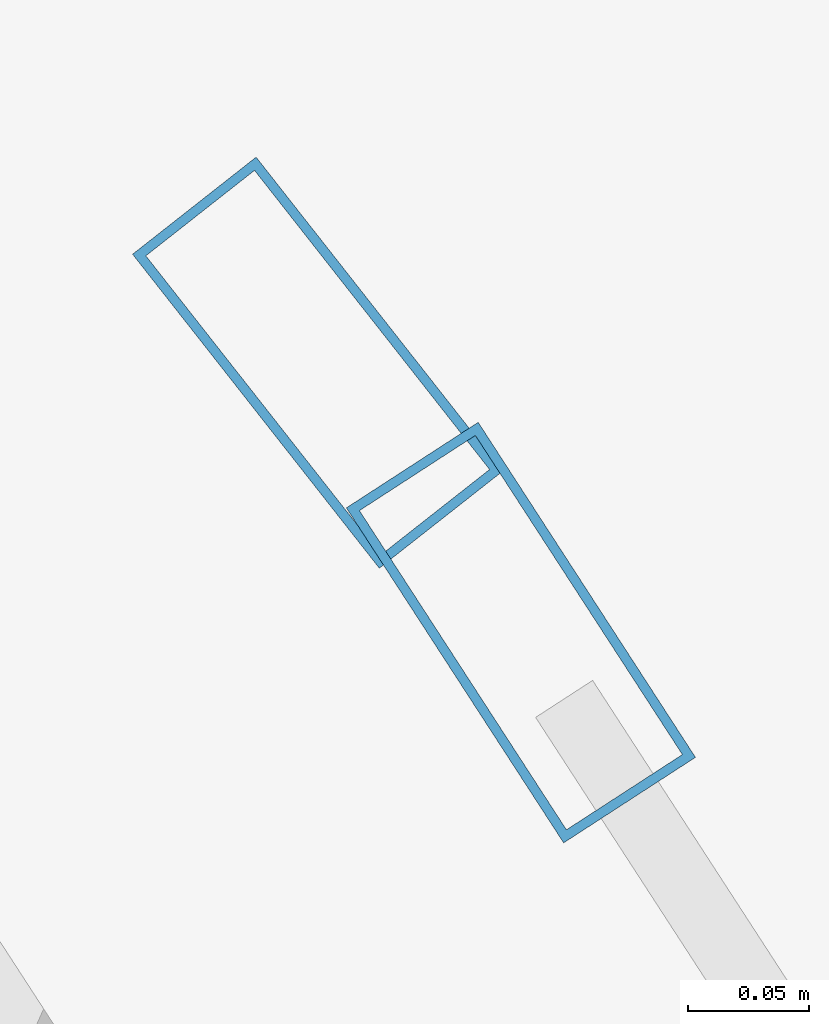
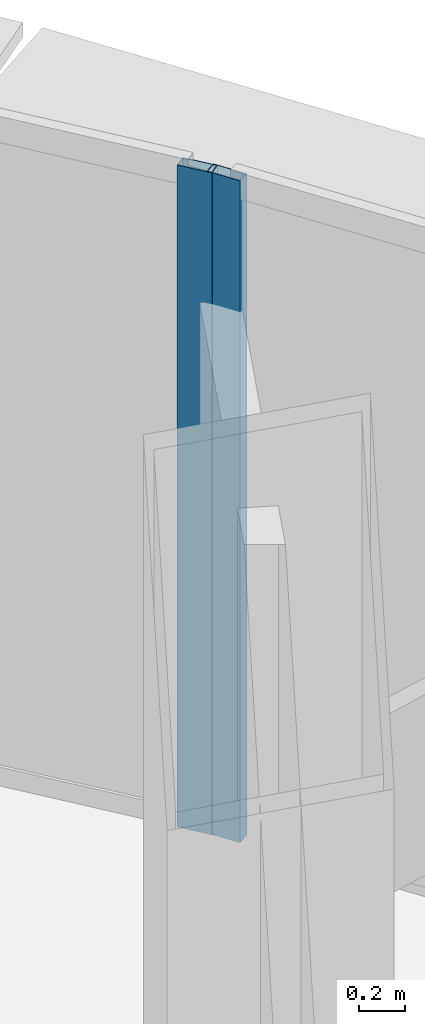
# One storey, part 18 of 39: 2 members, 2 elements without a shape of their own.
"""IFC4 building model written with IfcOpenShell, lengths in metres."""

from ifc_helpers import new_model, si_unit, direction, frame, origin, origin_2d, place, context, subcontext, project, spatial, hollow_rectangle, extrude, source, transform, mapped, material, layer, layer_set, material_profile, profile_set, type_object, element, aggregate, save


model = new_model("IFC4")

# Units and contexts
model_context = context("Model", 3, precision=1e-05, world=origin(), true_north=direction((0.0, 1.0)))
body_context = subcontext(model_context, "Body", "Model", "MODEL_VIEW")
ifc_project = project(units=[si_unit("LENGTHUNIT", "METRE"), si_unit("AREAUNIT", "SQUARE_METRE"), si_unit("VOLUMEUNIT", "CUBIC_METRE"), si_unit("PLANEANGLEUNIT", "RADIAN"), si_unit("MASSUNIT", "GRAM", prefix="KILO"), si_unit("THERMODYNAMICTEMPERATUREUNIT", "KELVIN"), si_unit("POWERUNIT", "WATT")], contexts=[model_context])

# Site, building, storey
site_placement = place(None, origin())
site = spatial("IfcSite", under=ifc_project, at=site_placement, CompositionType="ELEMENT")
building_placement = place(site_placement, origin())
building = spatial("IfcBuilding", under=site, at=building_placement, Name="Yunzhuo Pagoda Commons", CompositionType="ELEMENT")
storey_placement = place(building_placement, frame((0.0, 0.0, 96.3798828125)))
storey = spatial("IfcBuildingStorey", under=building, at=storey_placement, Name="L24", CompositionType="ELEMENT", Elevation=96.3798828125)

# Curtain wall, member
ifc_material = material(Name="Anodized aluminium 6063-T6", Category="aluminium")
ifc_layer = layer(ifc_material, 0.1650390625)
ifc_layer_set = layer_set([ifc_layer], Name="Anodized aluminium 6063-T6")
curtain_wall_type = type_object("IfcCurtainWallType", Name="CW-LOW Low-Zone Ribbon Curtain Wall", PredefinedType="NOTDEFINED", material=ifc_layer_set)
curtain_wall_1_placement = place(storey_placement, origin())
curtain_wall_1 = element("IfcCurtainWall", 1, at=curtain_wall_1_placement, inside=storey, type_object=curtain_wall_type, Name="L24 curtain wall CW-L24-F2B4", PredefinedType="NOTDEFINED")
ifc_material_profile = material_profile(ifc_material, hollow_rectangle(XDim=0.06494140625, YDim=0.1650390625, WallThickness=0.00390625, at=origin_2d()), Name="Anodized aluminium 6063-T6")
ifc_profile_set = profile_set([ifc_material_profile], Name="Anodized aluminium 6063-T6")
member_type = type_object("IfcMemberType", Name="CW-LOW-M Mullion RHS 165x65x4", PredefinedType="MULLION", material=ifc_profile_set)
shared_shape = source(origin(), body_context, "Body", "SweptSolid", [
    extrude(hollow_rectangle(XDim=0.06494140625, YDim=0.1650390625, WallThickness=0.00390625, at=origin_2d()), origin(), (0.0, 0.0, 1.0), 3.5400390625),
])
member_1_placement = place(storey_placement, frame((64.787841796875, 71.339599609375, 0.0), z_axis=(0.0, 0.0, 1.0), x_axis=(-0.838972259493, -0.544174188841, 0.0)))
member_1 = element("IfcMember", 2, at=member_1_placement, type_object=member_type, Name="CW mullion 2", PredefinedType="MULLION", context=body_context, shape_type="MappedRepresentation", body=[
    mapped(shared_shape, transform((0.0, 0.0, 0.0), scale=1.0)),
])
aggregate(curtain_wall_1, [member_1])

curtain_wall_2_placement = place(storey_placement, origin())
curtain_wall_2 = element("IfcCurtainWall", 3, at=curtain_wall_2_placement, inside=storey, type_object=curtain_wall_type, Name="L24 curtain wall CW-L24-F2B5", PredefinedType="NOTDEFINED")
member_2_placement = place(storey_placement, frame((64.703857421875, 71.451171875, 0.0), z_axis=(0.0, 0.0, 1.0), x_axis=(-0.786214870416, -0.617953216301, 0.0)))
member_2 = element("IfcMember", 4, at=member_2_placement, type_object=member_type, Name="CW mullion 1", PredefinedType="MULLION", context=body_context, shape_type="MappedRepresentation", body=[
    mapped(shared_shape, transform((0.0, 0.0, 0.0), scale=1.0)),
])
aggregate(curtain_wall_2, [member_2])

save(model, "model.ifc")
